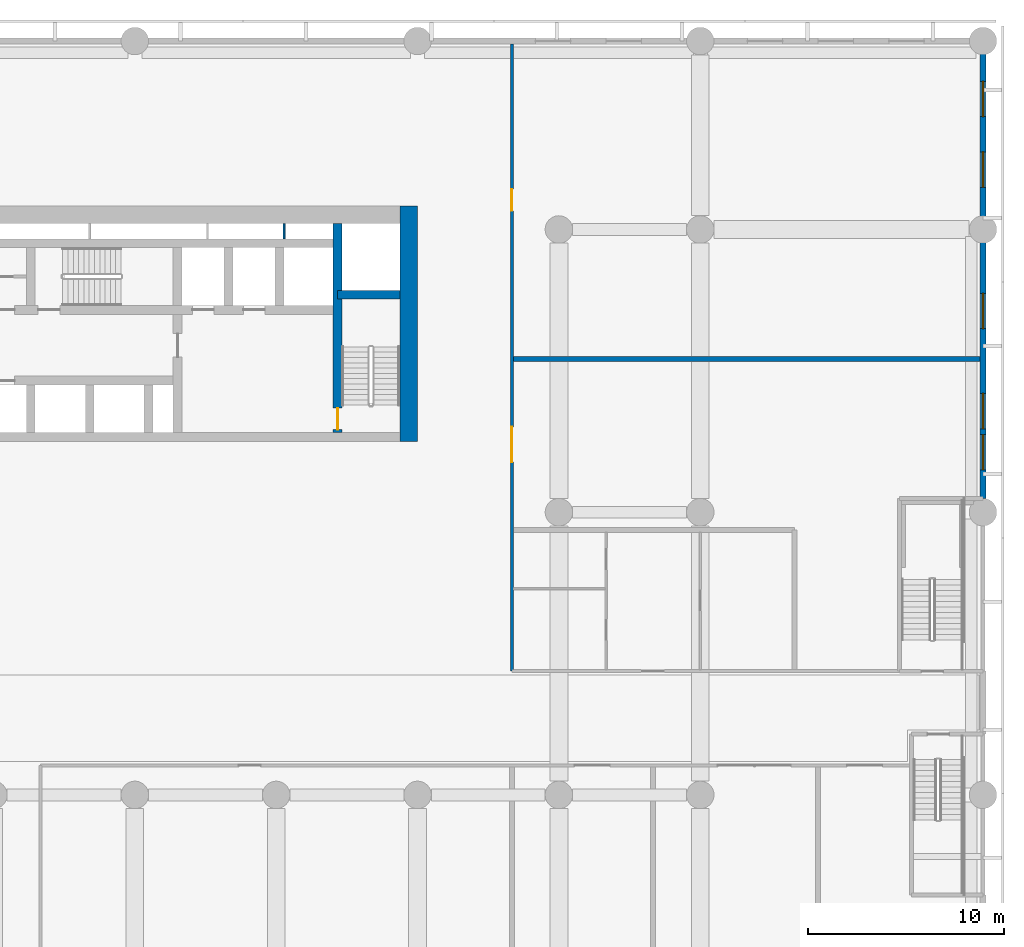
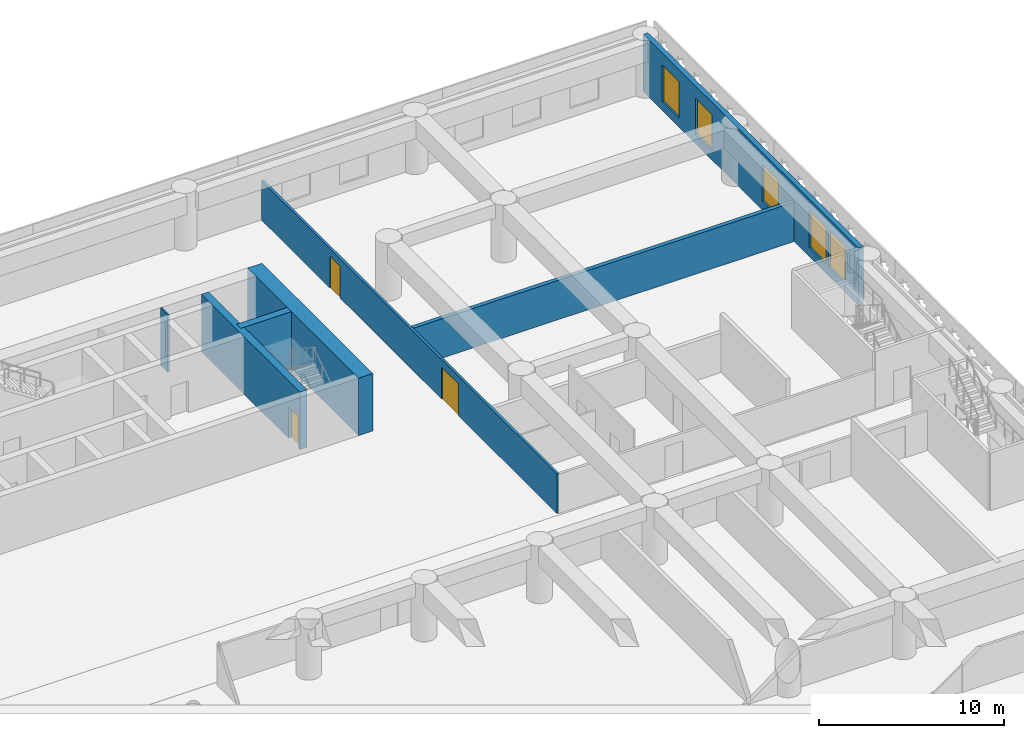
# One storey, part 10 of 24: 7 walls, 5 windows, 3 doors, 8 openings.
"""IFC4 building model written with IfcOpenShell, lengths in metres."""

from ifc_helpers import new_model, si_unit, direction, frame, frame_2d, origin, place, context, subcontext, project, spatial, rectangle, extrude, material, layer, layer_set, type_object, element, fill, save


model = new_model("IFC4")

# Units and contexts
model_context = context("Model", 3, precision=1e-05, world=origin(), true_north=direction((0.0, 1.0)))
body_context = subcontext(model_context, "Body", "Model", "MODEL_VIEW")
ifc_project = project(units=[si_unit("LENGTHUNIT", "METRE"), si_unit("AREAUNIT", "SQUARE_METRE"), si_unit("VOLUMEUNIT", "CUBIC_METRE"), si_unit("PLANEANGLEUNIT", "RADIAN"), si_unit("MASSUNIT", "GRAM", prefix="KILO")], contexts=[model_context])

# Site, building, storey
site_placement = place(None, origin())
site = spatial("IfcSite", under=ifc_project, at=site_placement, CompositionType="ELEMENT")
building_placement = place(site_placement, origin())
building = spatial("IfcBuilding", under=site, at=building_placement, Name="Saffron Iwan Residences", CompositionType="ELEMENT")
storey_placement = place(building_placement, frame((0.0, 0.0, 13.199951171875)))
storey = spatial("IfcBuildingStorey", under=building, at=storey_placement, Name="L02", CompositionType="ELEMENT", Elevation=13.199951171875)

# Wall, openings, doors
ifc_material_1 = material(Name="Concrete blockwork", Category="masonry")
ifc_layer_1 = layer(ifc_material_1, 0.14990234375)
ifc_layer_set_1 = layer_set([ifc_layer_1], Name="Concrete blockwork")
wall_type_1 = type_object("IfcWallType", Name="Blockwork partition 150", PredefinedType="PARTITIONING", material=ifc_layer_set_1)
wall_1_placement = place(storey_placement, frame((76.800048828125, 54.300048828125, 0.0), z_axis=(0.0, 0.0, 1.0), x_axis=(0.0, 1.0, 0.0)))
wall_1 = element("IfcWall", 1, at=wall_1_placement, inside=storey, type_object=wall_type_1, Name="W-L02-036", PredefinedType="PARTITIONING", context=body_context, shape_type="SweptSolid", body=[
    extrude(rectangle(XDim=31.949951171875, YDim=0.14990234375, at=frame_2d((15.97509765625, 0.0))), origin(), (0.0, 0.0, 1.0), 2.60009765625),
])
opening_1_placement = place(wall_1_placement, frame((10.64990234375, 0.0, 0.0)))
opening_1 = element("IfcOpeningElement", 2, at=opening_1_placement, cuts=wall_1, Name="Opening L02.20", PredefinedType="OPENING", context=body_context, shape_type="SweptSolid", body=[
    extrude(rectangle(XDim=1.800048828125, YDim=2.10009765625, at=frame_2d((0.89990234375, 1.050048828125))), frame((0.0, 0.0849609375, 0.0), z_axis=(0.0, -1.0, 0.0), x_axis=(1.0, 0.0, 0.0)), (0.0, 0.0, 1.0), 0.169921875),
])
opening_2_placement = place(wall_1_placement, frame((23.449951171875, 0.0, 0.0)))
opening_2 = element("IfcOpeningElement", 3, at=opening_2_placement, cuts=wall_1, Name="Opening L02.21", PredefinedType="OPENING", context=body_context, shape_type="SweptSolid", body=[
    extrude(rectangle(XDim=1.10009765625, YDim=2.10009765625, at=frame_2d((0.550048828125, 1.050048828125))), frame((0.0, 0.0849609375, 0.0), z_axis=(0.0, -1.0, 0.0), x_axis=(1.0, 0.0, 0.0)), (0.0, 0.0, 1.0), 0.169921875),
])
ifc_material_2 = material(Name="Timber", Category="wood")
door_type_1 = type_object("IfcDoorType", Name="Door 1100x2100", OperationType="NOTDEFINED", PredefinedType="DOOR", material=ifc_material_2)
door_1_placement = place(opening_2_placement, origin())
door_1 = element("IfcDoor", 4, at=door_1_placement, inside=storey, type_object=door_type_1, Name="D-L02-021", OperationType="SINGLE_SWING_RIGHT", OverallHeight=2.10009765625, OverallWidth=1.10009765625, PredefinedType="DOOR", context=body_context, shape_type="SweptSolid", body=[
    extrude(rectangle(XDim=1.10009765625, YDim=2.10009765625, at=frame_2d((0.550048828125, 1.050048828125))), frame((0.0, 0.02490234375, 0.0), z_axis=(0.0, -1.0, 0.0), x_axis=(1.0, 0.0, 0.0)), (0.0, 0.0, 1.0), 0.050048828125),
])
fill(opening_2, door_1)
door_type_2 = type_object("IfcDoorType", Name="Door 1800x2100", OperationType="DOUBLE_DOOR_SINGLE_SWING", PredefinedType="DOOR", material=ifc_material_2)
door_2_placement = place(opening_1_placement, origin())
door_2 = element("IfcDoor", 5, at=door_2_placement, inside=storey, type_object=door_type_2, Name="D-L02-020", OperationType="DOUBLE_DOOR_SINGLE_SWING", OverallHeight=2.10009765625, OverallWidth=1.800048828125, PredefinedType="DOOR", context=body_context, shape_type="SweptSolid", body=[
    extrude(rectangle(XDim=1.800048828125, YDim=2.10009765625, at=frame_2d((0.89990234375, 1.050048828125))), frame((0.0, 0.02490234375, 0.0), z_axis=(0.0, -1.0, 0.0), x_axis=(1.0, 0.0, 0.0)), (0.0, 0.0, 1.0), 0.050048828125),
])
fill(opening_1, door_2)

# Wall
ifc_material_3 = material(Name="Concrete C40/50", Category="concrete")
ifc_layer_2 = layer(ifc_material_3, 0.25)
ifc_layer_set_2 = layer_set([ifc_layer_2], Name="Concrete C40/50")
wall_type_2 = type_object("IfcWallType", Name="Fire compartment wall 250", PredefinedType="SOLIDWALL", material=ifc_layer_set_2)
wall_2_placement = place(storey_placement, frame((76.875, 70.199951171875, 0.0), z_axis=(0.0, 0.0, 1.0), x_axis=(1.0, 0.0, 0.0)))
element("IfcWall", 6, at=wall_2_placement, inside=storey, type_object=wall_type_2, Name="W-L02-020", PredefinedType="SOLIDWALL", context=body_context, shape_type="SweptSolid", body=[
    extrude(rectangle(XDim=23.77490234375, YDim=0.25, at=frame_2d((11.887451171875, 0.0))), origin(), (0.0, 0.0, 1.0), 2.60009765625),
])

# Wall, openings, windows
ifc_material_4 = material(Name="Precast concrete C40/50", Category="concrete")
ifc_layer_3 = layer(ifc_material_4, 0.300048828125)
ifc_layer_set_3 = layer_set([ifc_layer_3], Name="Precast concrete C40/50")
wall_type_3 = type_object("IfcWallType", Name="Podium external wall 300", PredefinedType="SOLIDWALL", material=ifc_layer_set_3)
wall_3_placement = place(storey_placement, frame((100.800048828125, 63.10009765625, 0.0), z_axis=(0.0, 0.0, 1.0), x_axis=(0.0, 1.0, 0.0)))
wall_3 = element("IfcWall", 7, at=wall_3_placement, inside=storey, type_object=wall_type_3, Name="W-L02-047", PredefinedType="SOLIDWALL", context=body_context, shape_type="SweptSolid", body=[
    extrude(rectangle(XDim=23.2998046875, YDim=0.300048828125, at=frame_2d((11.64990234375, 0.0))), origin(), (0.0, 0.0, 1.0), 3.800048828125),
])
opening_3_placement = place(wall_3_placement, frame((1.449951171875, 0.0, 0.60009765625)))
opening_3 = element("IfcOpeningElement", 8, at=opening_3_placement, cuts=wall_3, Name="Opening W7", PredefinedType="OPENING", context=body_context, shape_type="SweptSolid", body=[
    extrude(rectangle(XDim=1.800048828125, YDim=2.39990234375, at=frame_2d((0.89990234375, 1.199951171875))), frame((0.0, 0.16015625, 0.0), z_axis=(0.0, -1.0, 0.0), x_axis=(1.0, 0.0, 0.0)), (0.0, 0.0, 1.0), 0.320068359375),
])
opening_4_placement = place(wall_3_placement, frame((3.550048828125, 0.0, 0.60009765625)))
opening_4 = element("IfcOpeningElement", 9, at=opening_4_placement, cuts=wall_3, Name="Opening W7", PredefinedType="OPENING", context=body_context, shape_type="SweptSolid", body=[
    extrude(rectangle(XDim=1.800048828125, YDim=2.39990234375, at=frame_2d((0.89990234375, 1.199951171875))), frame((0.0, 0.16015625, 0.0), z_axis=(0.0, -1.0, 0.0), x_axis=(1.0, 0.0, 0.0)), (0.0, 0.0, 1.0), 0.320068359375),
])
opening_5_placement = place(wall_3_placement, frame((8.64990234375, 0.0, 0.60009765625)))
opening_5 = element("IfcOpeningElement", 10, at=opening_5_placement, cuts=wall_3, Name="Opening W7", PredefinedType="OPENING", context=body_context, shape_type="SweptSolid", body=[
    extrude(rectangle(XDim=1.800048828125, YDim=2.39990234375, at=frame_2d((0.89990234375, 1.199951171875))), frame((0.0, 0.16015625, 0.0), z_axis=(0.0, -1.0, 0.0), x_axis=(1.0, 0.0, 0.0)), (0.0, 0.0, 1.0), 0.320068359375),
])
opening_6_placement = place(wall_3_placement, frame((15.85009765625, 0.0, 0.60009765625)))
opening_6 = element("IfcOpeningElement", 11, at=opening_6_placement, cuts=wall_3, Name="Opening W7", PredefinedType="OPENING", context=body_context, shape_type="SweptSolid", body=[
    extrude(rectangle(XDim=1.800048828125, YDim=2.39990234375, at=frame_2d((0.89990234375, 1.199951171875))), frame((0.0, 0.16015625, 0.0), z_axis=(0.0, -1.0, 0.0), x_axis=(1.0, 0.0, 0.0)), (0.0, 0.0, 1.0), 0.320068359375),
])
opening_7_placement = place(wall_3_placement, frame((19.449951171875, 0.0, 0.60009765625)))
opening_7 = element("IfcOpeningElement", 12, at=opening_7_placement, cuts=wall_3, Name="Opening W7", PredefinedType="OPENING", context=body_context, shape_type="SweptSolid", body=[
    extrude(rectangle(XDim=1.800048828125, YDim=2.39990234375, at=frame_2d((0.89990234375, 1.199951171875))), frame((0.0, 0.16015625, 0.0), z_axis=(0.0, -1.0, 0.0), x_axis=(1.0, 0.0, 0.0)), (0.0, 0.0, 1.0), 0.320068359375),
])
ifc_material_5 = material(Name="Clear glass, laminated double glazed", Category="glass")
window_type = type_object("IfcWindowType", Name="WINDOW 1800 x 2400 PODIUM", PartitioningType="DOUBLE_PANEL_VERTICAL", PredefinedType="WINDOW", material=ifc_material_5)
window_1_placement = place(opening_3_placement, origin())
window_1 = element("IfcWindow", 13, at=window_1_placement, inside=storey, type_object=window_type, Name="Window L02 W-L02-047.0", OverallHeight=2.39990234375, OverallWidth=1.800048828125, PartitioningType="DOUBLE_PANEL_VERTICAL", PredefinedType="WINDOW", context=body_context, shape_type="SweptSolid", body=[
    extrude(rectangle(XDim=1.800048828125, YDim=2.39990234375, at=frame_2d((0.89990234375, 1.199951171875))), frame((0.0, 0.030029296875, 0.0), z_axis=(0.0, -1.0, 0.0), x_axis=(1.0, 0.0, 0.0)), (0.0, 0.0, 1.0), 0.06005859375),
])
fill(opening_3, window_1)
window_2_placement = place(opening_4_placement, origin())
window_2 = element("IfcWindow", 14, at=window_2_placement, inside=storey, type_object=window_type, Name="Window L02 W-L02-047.1", OverallHeight=2.39990234375, OverallWidth=1.800048828125, PartitioningType="DOUBLE_PANEL_VERTICAL", PredefinedType="WINDOW", context=body_context, shape_type="SweptSolid", body=[
    extrude(rectangle(XDim=1.800048828125, YDim=2.39990234375, at=frame_2d((0.89990234375, 1.199951171875))), frame((0.0, 0.030029296875, 0.0), z_axis=(0.0, -1.0, 0.0), x_axis=(1.0, 0.0, 0.0)), (0.0, 0.0, 1.0), 0.06005859375),
])
fill(opening_4, window_2)
window_3_placement = place(opening_5_placement, origin())
window_3 = element("IfcWindow", 15, at=window_3_placement, inside=storey, type_object=window_type, Name="Window L02 W-L02-047.2", OverallHeight=2.39990234375, OverallWidth=1.800048828125, PartitioningType="DOUBLE_PANEL_VERTICAL", PredefinedType="WINDOW", context=body_context, shape_type="SweptSolid", body=[
    extrude(rectangle(XDim=1.800048828125, YDim=2.39990234375, at=frame_2d((0.89990234375, 1.199951171875))), frame((0.0, 0.030029296875, 0.0), z_axis=(0.0, -1.0, 0.0), x_axis=(1.0, 0.0, 0.0)), (0.0, 0.0, 1.0), 0.06005859375),
])
fill(opening_5, window_3)
window_4_placement = place(opening_6_placement, origin())
window_4 = element("IfcWindow", 16, at=window_4_placement, inside=storey, type_object=window_type, Name="Window L02 W-L02-047.3", OverallHeight=2.39990234375, OverallWidth=1.800048828125, PartitioningType="DOUBLE_PANEL_VERTICAL", PredefinedType="WINDOW", context=body_context, shape_type="SweptSolid", body=[
    extrude(rectangle(XDim=1.800048828125, YDim=2.39990234375, at=frame_2d((0.89990234375, 1.199951171875))), frame((0.0, 0.030029296875, 0.0), z_axis=(0.0, -1.0, 0.0), x_axis=(1.0, 0.0, 0.0)), (0.0, 0.0, 1.0), 0.06005859375),
])
fill(opening_6, window_4)
window_5_placement = place(opening_7_placement, origin())
window_5 = element("IfcWindow", 17, at=window_5_placement, inside=storey, type_object=window_type, Name="Window L02 W-L02-047.4", OverallHeight=2.39990234375, OverallWidth=1.800048828125, PartitioningType="DOUBLE_PANEL_VERTICAL", PredefinedType="WINDOW", context=body_context, shape_type="SweptSolid", body=[
    extrude(rectangle(XDim=1.800048828125, YDim=2.39990234375, at=frame_2d((0.89990234375, 1.199951171875))), frame((0.0, 0.030029296875, 0.0), z_axis=(0.0, -1.0, 0.0), x_axis=(1.0, 0.0, 0.0)), (0.0, 0.0, 1.0), 0.06005859375),
])
fill(opening_7, window_5)

# Walls
ifc_material_6 = material(Name="Fire-rated plasterboard partition")
ifc_layer_4 = layer(ifc_material_6, 0.10009765625)
ifc_layer_set_4 = layer_set([ifc_layer_4], Name="Fire-rated plasterboard partition")
wall_type_4 = type_object("IfcWallType", Name="Riser partition 100", PredefinedType="PARTITIONING", material=ifc_layer_set_4)
wall_4_placement = place(storey_placement, frame((65.199951171875, 76.324951171875, 0.0), z_axis=(0.0, 0.0, 1.0), x_axis=(0.0, 1.0, 0.0)))
element("IfcWall", 18, at=wall_4_placement, inside=storey, type_object=wall_type_4, Name="Core partition P11", PredefinedType="PARTITIONING", context=body_context, shape_type="SweptSolid", body=[
    extrude(rectangle(XDim=0.775146484375, YDim=0.10009765625, at=frame_2d((0.3876953125, 0.0))), origin(), (0.0, 0.0, 1.0), 3.800048828125),
])
ifc_material_7 = material(Name="Concrete C60/75", Category="concrete")
ifc_layer_5 = layer(ifc_material_7, 0.449951171875)
ifc_layer_set_5 = layer_set([ifc_layer_5], Name="Concrete C60/75")
wall_type_5 = type_object("IfcWallType", Name="WALL CORE 450 C60/75 3800 HIGH", PredefinedType="SHEAR", material=ifc_layer_set_5)
wall_5_placement = place(storey_placement, frame((67.925048828125, 73.47509765625, 0.0), z_axis=(0.0, 0.0, 1.0), x_axis=(1.0, 0.0, 0.0)))
element("IfcWall", 19, at=wall_5_placement, inside=storey, type_object=wall_type_5, Name="Core wall", PredefinedType="SHEAR", context=body_context, shape_type="SweptSolid", body=[
    extrude(rectangle(XDim=3.175048828125, YDim=0.449951171875, at=frame_2d((1.58740234375, 0.0))), origin(), (0.0, 0.0, 1.0), 3.800048828125),
])

# Wall, opening, door
wall_6_placement = place(storey_placement, frame((67.925048828125, 66.449951171875, 0.0), z_axis=(0.0, 0.0, 1.0), x_axis=(0.0, 1.0, 0.0)))
wall_6 = element("IfcWall", 20, at=wall_6_placement, inside=storey, type_object=wall_type_5, Name="Core wall", PredefinedType="SHEAR", context=body_context, shape_type="SweptSolid", body=[
    extrude(rectangle(XDim=10.650146484375, YDim=0.449951171875, at=frame_2d((5.3251953125, 0.0))), origin(), (0.0, 0.0, 1.0), 3.800048828125),
])
opening_8_placement = place(wall_6_placement, frame((0.14990234375, 0.0, 0.0)))
opening_8 = element("IfcOpeningElement", 21, at=opening_8_placement, cuts=wall_6, Name="Opening SD", PredefinedType="OPENING", context=body_context, shape_type="SweptSolid", body=[
    extrude(rectangle(XDim=1.10009765625, YDim=2.10009765625, at=frame_2d((0.550048828125, 1.050048828125))), frame((0.0, 0.23486328125, 0.0), z_axis=(0.0, -1.0, 0.0), x_axis=(1.0, 0.0, 0.0)), (0.0, 0.0, 1.0), 0.469970703125),
])
ifc_material_8 = material(Name="Steel fire door", Category="steel")
door_type_3 = type_object("IfcDoorType", Name="Stair door 1100", OperationType="NOTDEFINED", PredefinedType="DOOR", material=ifc_material_8)
door_3_placement = place(opening_8_placement, origin())
door_3 = element("IfcDoor", 22, at=door_3_placement, inside=storey, type_object=door_type_3, Name="Stair door ST-E", OperationType="SINGLE_SWING_LEFT", OverallHeight=2.10009765625, OverallWidth=1.10009765625, PredefinedType="DOOR", context=body_context, shape_type="SweptSolid", body=[
    extrude(rectangle(XDim=1.10009765625, YDim=2.10009765625, at=frame_2d((0.550048828125, 1.050048828125))), frame((0.0, 0.02490234375, 0.0), z_axis=(0.0, -1.0, 0.0), x_axis=(1.0, 0.0, 0.0)), (0.0, 0.0, 1.0), 0.050048828125),
])
fill(opening_8, door_3)

# Wall
ifc_layer_6 = layer(ifc_material_7, 0.89990234375)
ifc_layer_set_6 = layer_set([ifc_layer_6], Name="Concrete C60/75")
wall_type_6 = type_object("IfcWallType", Name="WALL CORE 900 C60/75 3800 HIGH", PredefinedType="SHEAR", material=ifc_layer_set_6)
wall_7_placement = place(storey_placement, frame((71.550048828125, 66.0, 0.0), z_axis=(0.0, 0.0, 1.0), x_axis=(0.0, 1.0, 0.0)))
element("IfcWall", 23, at=wall_7_placement, inside=storey, type_object=wall_type_6, Name="Core wall", PredefinedType="SHEAR", context=body_context, shape_type="SweptSolid", body=[
    extrude(rectangle(XDim=12.0, YDim=0.89990234375, at=frame_2d((6.0, 0.0))), origin(), (0.0, 0.0, 1.0), 3.800048828125),
])

save(model, "model.ifc")
